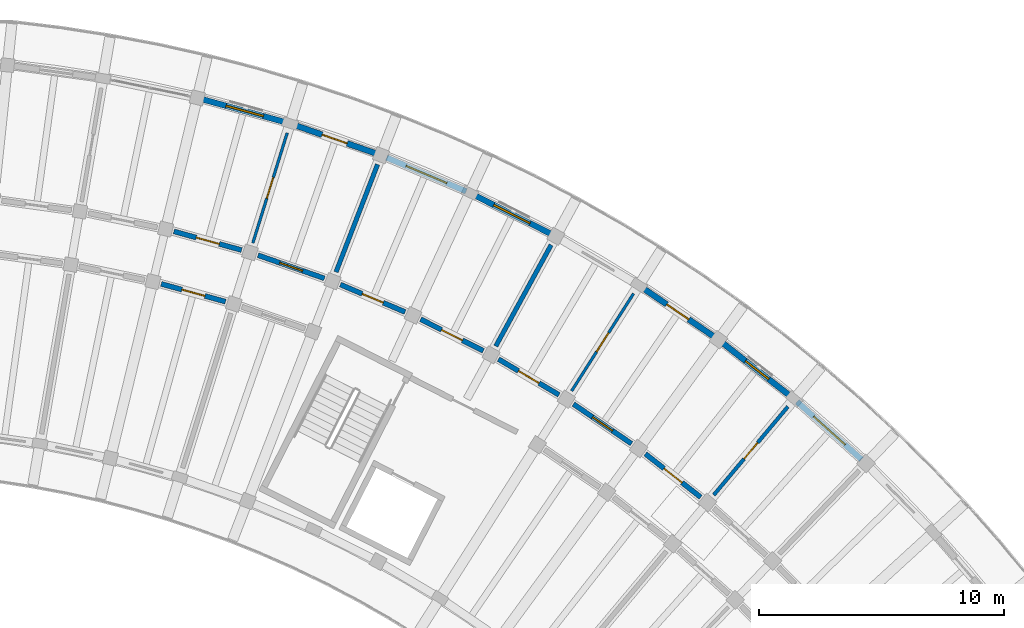
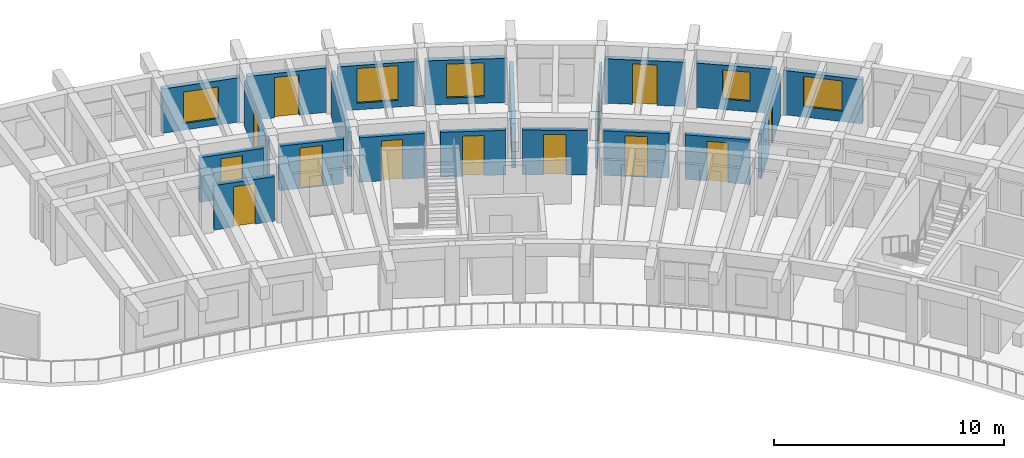
# One storey, part 58 of 81: 20 walls, 13 doors, 5 windows, 18 openings.
"""IFC4 building model written with IfcOpenShell, lengths in metres."""

import ifcopenshell
import ifcopenshell.guid

model = None  # the IFC model being written
_history = None  # IfcOwnerHistory: only IFC2X3 demands one
_inside = {}  # id of a spatial element -> (the spatial element, [elements in it])
_under = {}  # id of a project, library or spatial element -> (it, [spatial elements below it])
_declared = {}  # id of a project -> (the project, [libraries it declares])
_typed = {}  # id of a type object -> (the type object, [elements of that type])
_made_of = {}  # id of a material, layer set ... -> (it, [elements and type objects made of it])


def new_model(schema):
    """Start an empty IFC model of exactly this schema.

    Asked for "IFC4X3", IfcOpenShell would pick the latest addendum, in which some entities
    have other attributes; the version numbers below select the first issue.
    IFC2X3 requires an IfcOwnerHistory on every rooted entity: one is made here for all.
    """
    global model, _history
    if schema == "IFC4X3":
        model = ifcopenshell.file(schema_version=(4, 3, 0, 0))
    else:
        model = ifcopenshell.file(schema=schema)
    _inside.clear()
    _under.clear()
    _declared.clear()
    _typed.clear()
    _made_of.clear()
    _history = None
    if model.schema == "IFC2X3":
        org = make("IfcOrganization", Name="unknown")
        user = make(
            "IfcPersonAndOrganization",
            ThePerson=make("IfcPerson", FamilyName="unknown"),
            TheOrganization=org,
        )
        app = make(
            "IfcApplication",
            ApplicationDeveloper=org,
            Version="unknown",
            ApplicationFullName="unknown",
            ApplicationIdentifier="unknown",
        )
        _history = make(
            "IfcOwnerHistory",
            OwningUser=user,
            OwningApplication=app,
            ChangeAction="ADDED",
            CreationDate=0,
        )
    return model


def make(cls, **values):
    """One entity of the class cls with the attributes given. An attribute that is None is left unset."""
    return model.create_entity(
        cls, **{name: value for name, value in values.items() if value is not None}
    )


def rooted(cls, **values):
    """An entity with a GlobalId (a new one), such as an element, a storey or a relation."""
    return make(cls, GlobalId=ifcopenshell.guid.new(), OwnerHistory=_history, **values)


def si_unit(unit_type, name, prefix=None):
    """IfcSIUnit, for example si_unit("LENGTHUNIT", "METRE", prefix="MILLI")."""
    return make("IfcSIUnit", UnitType=unit_type, Prefix=prefix, Name=name)


def assignment(units):
    """IfcUnitAssignment: the units of a project."""
    return None if units is None else make("IfcUnitAssignment", Units=units)


def point(xyz):
    """IfcCartesianPoint."""
    return None if xyz is None else make("IfcCartesianPoint", Coordinates=xyz)


def direction(xyz):
    """IfcDirection."""
    return None if xyz is None else make("IfcDirection", DirectionRatios=xyz)


def frame(location, z_axis=None, x_axis=None):
    """IfcAxis2Placement3D, a coordinate frame: its origin and axes. An axis left out is left unset."""
    return make(
        "IfcAxis2Placement3D",
        Location=point(location),
        Axis=direction(z_axis),
        RefDirection=direction(x_axis),
    )


def frame_2d(location, x_axis=None):
    """IfcAxis2Placement2D, a coordinate frame in the plane: its origin and x axis."""
    return make(
        "IfcAxis2Placement2D", Location=point(location), RefDirection=direction(x_axis)
    )


def origin():
    """The frame at (0, 0, 0) with its axes left unset."""
    return frame((0.0, 0.0, 0.0))


def place(relative_to, where):
    """IfcLocalPlacement: puts the frame where relative to a parent placement (None: the world)."""
    return make(
        "IfcLocalPlacement", PlacementRelTo=relative_to, RelativePlacement=where
    )


def context(
    kind, dimensions, precision=None, world=None, true_north=None, identifier=None
):
    """IfcGeometricRepresentationContext, for example the 3D "Model" context."""
    return make(
        "IfcGeometricRepresentationContext",
        ContextIdentifier=identifier,
        ContextType=kind,
        CoordinateSpaceDimension=dimensions,
        Precision=precision,
        WorldCoordinateSystem=world,
        TrueNorth=true_north,
    )


def subcontext(parent, identifier, kind, view, scale=None):
    """IfcGeometricRepresentationSubContext, for example "Body" below "Model"."""
    return make(
        "IfcGeometricRepresentationSubContext",
        ContextIdentifier=identifier,
        ContextType=kind,
        ParentContext=parent,
        TargetScale=scale,
        TargetView=view,
    )


def project(units=None, contexts=None):
    """IfcProject with its units and contexts."""
    return rooted(
        "IfcProject",
        Name="project",
        RepresentationContexts=contexts,
        UnitsInContext=assignment(units),
    )


def spatial(cls, under=None, at=None, **own):
    """A site, building, storey or space (cls), placed at a placement, below another one or the project."""
    s = rooted(cls, ObjectPlacement=at, **own)
    if under is not None:
        _under.setdefault(under.id(), (under, []))[1].append(s)
    return s


def profile(cls, at=None, kind="AREA", **sizes):
    """A parametric profile (cls). Its sizes go by their IFC names, for example OverallWidth=200.0."""
    return make(cls, ProfileType=kind, Position=at, **sizes)


def rectangle(**sizes):
    """IfcRectangleProfileDef."""
    return profile("IfcRectangleProfileDef", **sizes)


def extrude(swept, where, along, depth):
    """IfcExtrudedAreaSolid: the profile swept, set in the frame where, extruded along a direction by depth."""
    return make(
        "IfcExtrudedAreaSolid",
        SweptArea=swept,
        Position=where,
        ExtrudedDirection=direction(along),
        Depth=depth,
    )


def shape(context_of_items, identifier, shape_type, items):
    """IfcShapeRepresentation: the items that make up one representation, for example the "Body"."""
    return make(
        "IfcShapeRepresentation",
        ContextOfItems=context_of_items,
        RepresentationIdentifier=identifier,
        RepresentationType=shape_type,
        Items=items,
    )


def material(Name=None, Category=None):
    """IfcMaterial."""
    return make("IfcMaterial", Name=Name, Category=Category)


def layer(
    of_material, thickness, ventilated=None, Name=None, Category=None, Priority=None
):
    """IfcMaterialLayer: one layer of a wall or slab, of a material (None: an air gap)."""
    return make(
        "IfcMaterialLayer",
        Material=of_material,
        LayerThickness=thickness,
        IsVentilated=ventilated,
        Name=Name,
        Category=Category,
        Priority=Priority,
    )


def layer_set(layers, Name=None):
    """IfcMaterialLayerSet."""
    return make("IfcMaterialLayerSet", MaterialLayers=layers, LayerSetName=Name)


def made_of(thing, what):
    """Note that an element or type object is made of a material, layer set ...; save() writes the relation."""
    if what is not None:
        _made_of.setdefault(what.id(), (what, []))[1].append(thing)
    return thing


def type_object(cls, material=None, **own):
    """A type object (cls), such as IfcWallType, which elements share."""
    return made_of(rooted(cls, **own), material)


def element(
    cls,
    number,
    at=None,
    inside=None,
    cuts=None,
    type_object=None,
    material=None,
    context=None,
    identifier="Body",
    shape_type=None,
    held_by="IfcProductDefinitionShape",
    body=None,
    shapes=None,
    **own,
):
    """One element of the class cls, such as IfcWall. Its Tag is "e" and its number.

    at: its placement. inside: the storey or other place that contains it. cuts: it is an
    opening in that element (IfcRelVoidsElement). A single representation is given by context,
    identifier, shape_type and body (its items); several are given by shapes. held_by: the class
    of the entity that holds the representations. save() writes the other relations.
    """
    e = rooted(cls, Tag="e%d" % number, ObjectPlacement=at, **own)
    if body is not None:
        shapes = [shape(context, identifier, shape_type, body)]
    if shapes is not None:
        e.Representation = make(held_by, Representations=shapes)
    if inside is not None:
        _inside.setdefault(inside.id(), (inside, []))[1].append(e)
    if cuts is not None:
        rooted(
            "IfcRelVoidsElement", RelatingBuildingElement=cuts, RelatedOpeningElement=e
        )
    if type_object is not None:
        _typed.setdefault(type_object.id(), (type_object, []))[1].append(e)
    return made_of(e, material)


def fill(opening, filler):
    """IfcRelFillsElement: the door or window that sits in an opening."""
    return rooted(
        "IfcRelFillsElement",
        RelatingOpeningElement=opening,
        RelatedBuildingElement=filler,
    )


def aggregate(whole, parts):
    """IfcRelAggregates: a whole, such as a stair, and the parts it consists of."""
    return rooted("IfcRelAggregates", RelatingObject=whole, RelatedObjects=parts)


def save(model, path):
    """Write the relations noted so far, then the file.

    IfcRelAggregates (storeys below a building ...), IfcRelContainedInSpatialStructure (elements
    in a storey), IfcRelDefinesByType, IfcRelAssociatesMaterial and IfcRelDeclares: one each for
    every whole, place, type object, material and project.
    """
    for whole, parts in _under.values():
        aggregate(whole, parts)
    for where, things in _inside.values():
        rooted(
            "IfcRelContainedInSpatialStructure",
            RelatedElements=things,
            RelatingStructure=where,
        )
    for kind, things in _typed.values():
        rooted("IfcRelDefinesByType", RelatedObjects=things, RelatingType=kind)
    for what, things in _made_of.values():
        rooted("IfcRelAssociatesMaterial", RelatedObjects=things, RelatingMaterial=what)
    for by, libraries in _declared.values():
        rooted("IfcRelDeclares", RelatingContext=by, RelatedDefinitions=libraries)
    model.write(path)


model = new_model("IFC4")

# Units and contexts
model_context = context("Model", 3, precision=1e-05, world=origin(), true_north=direction((0.0, 1.0)))
body_context = subcontext(model_context, "Body", "Model", "MODEL_VIEW")
ifc_project = project(units=[si_unit("LENGTHUNIT", "METRE"), si_unit("AREAUNIT", "SQUARE_METRE"), si_unit("VOLUMEUNIT", "CUBIC_METRE"), si_unit("PLANEANGLEUNIT", "RADIAN"), si_unit("MASSUNIT", "GRAM", prefix="KILO")], contexts=[model_context])

# Site, building, storey
site_placement = place(None, origin())
site = spatial("IfcSite", under=ifc_project, at=site_placement, CompositionType="ELEMENT")
building_placement = place(site_placement, origin())
building = spatial("IfcBuilding", under=site, at=building_placement, Name="Tanwirah Colonnade Gardens", CompositionType="ELEMENT")
storey_placement = place(building_placement, frame((0.0, 0.0, 18.919921875)))
storey = spatial("IfcBuildingStorey", under=building, at=storey_placement, Name="L05", CompositionType="ELEMENT", Elevation=18.919921875)

# Wall, opening, window
ifc_material_1 = material(Name="Limestone architectural precast concrete C40/50", Category="masonry")
ifc_layer_1 = layer(ifc_material_1, 0.239990234375)
ifc_layer_set_1 = layer_set([ifc_layer_1], Name="Limestone architectural precast concrete C40/50")
wall_type_1 = type_object("IfcWallType", Name="EW-PC240", PredefinedType="SOLIDWALL", material=ifc_layer_set_1)
wall_1_placement = place(storey_placement, frame((162.01806640625, 103.3603515625, 0.0), z_axis=(0.0, 0.0, 1.0), x_axis=(-0.744413726571, 0.667718656092, 0.0)))
wall_1 = element("IfcWall", 1, at=wall_1_placement, inside=storey, type_object=wall_type_1, Name="Block B L05 OUT Precast Facade Wall 8", PredefinedType="SOLIDWALL", context=body_context, shape_type="SweptSolid", body=[
    extrude(rectangle(XDim=3.520751953125, YDim=0.239990234375, at=frame_2d((1.76025390625, 0.0))), origin(), (0.0, 0.0, 1.0), 2.35498046875),
])
opening_1_placement = place(wall_1_placement, frame((0.900390625, 0.0, 0.550048828125)))
opening_1 = element("IfcOpeningElement", 2, at=opening_1_placement, cuts=wall_1, Name="Opening WIN-U15", PredefinedType="OPENING", context=body_context, shape_type="SweptSolid", body=[
    extrude(rectangle(XDim=1.719970703125, YDim=1.610107421875, at=frame_2d((0.85986328125, 0.80517578125))), frame((0.0, 0.1298828125, 0.0), z_axis=(0.0, -1.0, 0.0), x_axis=(1.0, 0.0, 0.0)), (0.0, 0.0, 1.0), 0.260009765625),
])
ifc_material_2 = material(Name="Thermally broken bronze aluminium and solar low-E double glazing", Category="aluminium")
window_type_1 = type_object("IfcWindowType", Name="WIN-U15", PartitioningType="DOUBLE_PANEL_VERTICAL", PredefinedType="WINDOW", material=ifc_material_2)
window_1_placement = place(opening_1_placement, origin())
window_1 = element("IfcWindow", 3, at=window_1_placement, inside=storey, type_object=window_type_1, Name="Facade window B-L05-OUT-08", OverallHeight=1.610107421875, OverallWidth=1.719970703125, PartitioningType="SINGLE_PANEL", PredefinedType="WINDOW", context=body_context, shape_type="SweptSolid", body=[
    extrude(rectangle(XDim=1.719970703125, YDim=1.610107421875, at=frame_2d((0.85986328125, 0.80517578125))), frame((0.0, 0.030029296875, 0.0), z_axis=(0.0, -1.0, 0.0), x_axis=(1.0, 0.0, 0.0)), (0.0, 0.0, 1.0), 0.06005859375),
])
fill(opening_1, window_1)

wall_2_placement = place(storey_placement, frame((159.152099609375, 105.916748046875, 0.0), z_axis=(0.0, 0.0, 1.0), x_axis=(-0.786813798172, 0.617190446301, 0.0)))
wall_2 = element("IfcWall", 4, at=wall_2_placement, inside=storey, type_object=wall_type_1, Name="Block B L05 OUT Precast Facade Wall 9", PredefinedType="SOLIDWALL", context=body_context, shape_type="SweptSolid", body=[
    extrude(rectangle(XDim=3.5205078125, YDim=0.239990234375, at=frame_2d((1.76025390625, 0.0))), origin(), (0.0, 0.0, 1.0), 2.35498046875),
])
opening_2_placement = place(wall_2_placement, frame((1.160400390625, 0.0, 0.550048828125)))
opening_2 = element("IfcOpeningElement", 5, at=opening_2_placement, cuts=wall_2, Name="Opening WIN-T02", PredefinedType="OPENING", context=body_context, shape_type="SweptSolid", body=[
    extrude(rectangle(XDim=1.199951171875, YDim=1.550048828125, at=frame_2d((0.60009765625, 0.77490234375))), frame((0.0, 0.1298828125, 0.0), z_axis=(0.0, -1.0, 0.0), x_axis=(1.0, 0.0, 0.0)), (0.0, 0.0, 1.0), 0.260009765625),
])
window_type_2 = type_object("IfcWindowType", Name="WIN-T02", PartitioningType="SINGLE_PANEL", PredefinedType="WINDOW", material=ifc_material_2)
window_2_placement = place(opening_2_placement, origin())
window_2 = element("IfcWindow", 6, at=window_2_placement, inside=storey, type_object=window_type_2, Name="Facade window B-L05-OUT-09", OverallHeight=1.550048828125, OverallWidth=1.199951171875, PartitioningType="SINGLE_PANEL", PredefinedType="WINDOW", context=body_context, shape_type="SweptSolid", body=[
    extrude(rectangle(XDim=1.199951171875, YDim=1.550048828125, at=frame_2d((0.60009765625, 0.77490234375))), frame((0.0, 0.030029296875, 0.0), z_axis=(0.0, -1.0, 0.0), x_axis=(1.0, 0.0, 0.0)), (0.0, 0.0, 1.0), 0.06005859375),
])
fill(opening_2, window_2)

# Wall, opening, door
wall_3_placement = place(storey_placement, frame((155.98681640625, 108.37890625, 0.0), z_axis=(0.0, 0.0, 1.0), x_axis=(-0.825745840472, 0.56404238045, 0.0)))
wall_3 = element("IfcWall", 7, at=wall_3_placement, inside=storey, type_object=wall_type_1, Name="Block B L05 OUT Precast Facade Wall 10", PredefinedType="SOLIDWALL", context=body_context, shape_type="SweptSolid", body=[
    extrude(rectangle(XDim=3.520751953125, YDim=0.239990234375, at=frame_2d((1.76025390625, 0.0))), origin(), (0.0, 0.0, 1.0), 2.35498046875),
])
opening_3_placement = place(wall_3_placement, frame((1.220458984375, 0.0, 0.0)))
opening_3 = element("IfcOpeningElement", 8, at=opening_3_placement, cuts=wall_3, Name="Opening L05-ED092", PredefinedType="OPENING", context=body_context, shape_type="SweptSolid", body=[
    extrude(rectangle(XDim=1.080078125, YDim=2.14990234375, at=frame_2d((0.5400390625, 1.074951171875))), frame((0.0, 0.1298828125, 0.0), z_axis=(0.0, -1.0, 0.0), x_axis=(1.0, 0.0, 0.0)), (0.0, 0.0, 1.0), 0.260009765625),
])
ifc_material_3 = material(Name="Bronze aluminium glazed balcony door", Category="aluminium")
door_type_1 = type_object("IfcDoorType", Name="ED-BAL108", OperationType="NOTDEFINED", PredefinedType="DOOR", material=ifc_material_3)
door_1_placement = place(opening_3_placement, origin())
door_1 = element("IfcDoor", 9, at=door_1_placement, inside=storey, type_object=door_type_1, Name="Balcony glazed door L05-ED092", OperationType="SINGLE_SWING_RIGHT", OverallHeight=2.14990234375, OverallWidth=1.080078125, PredefinedType="DOOR", context=body_context, shape_type="SweptSolid", body=[
    extrude(rectangle(XDim=1.080078125, YDim=2.14990234375, at=frame_2d((0.5400390625, 1.074951171875))), frame((0.0, 0.02490234375, 0.0), z_axis=(0.0, -1.0, 0.0), x_axis=(1.0, 0.0, 0.0)), (0.0, 0.0, 1.0), 0.050048828125),
])
fill(opening_3, door_1)

# Wall, opening, window
wall_4_placement = place(storey_placement, frame((149.34814453125, 112.56103515625, 0.0), z_axis=(0.0, 0.0, 1.0), x_axis=(-0.892756700232, 0.450539092855, 0.0)))
wall_4 = element("IfcWall", 10, at=wall_4_placement, inside=storey, type_object=wall_type_1, Name="Block B L05 OUT Precast Facade Wall 12", PredefinedType="SOLIDWALL", context=body_context, shape_type="SweptSolid", body=[
    extrude(rectangle(XDim=3.520751953125, YDim=0.239990234375, at=frame_2d((1.76025390625, 0.0))), origin(), (0.0, 0.0, 1.0), 2.35498046875),
])
opening_4_placement = place(wall_4_placement, frame((0.935302734375, 0.0, 0.35009765625)))
opening_4 = element("IfcOpeningElement", 11, at=opening_4_placement, cuts=wall_4, Name="Opening WIN-T11", PredefinedType="OPENING", context=body_context, shape_type="SweptSolid", body=[
    extrude(rectangle(XDim=1.64990234375, YDim=1.800048828125, at=frame_2d((0.824951171875, 0.89990234375))), frame((0.0, 0.1298828125, 0.0), z_axis=(0.0, -1.0, 0.0), x_axis=(1.0, 0.0, 0.0)), (0.0, 0.0, 1.0), 0.260009765625),
])
window_type_3 = type_object("IfcWindowType", Name="WIN-T11", PartitioningType="DOUBLE_PANEL_VERTICAL", PredefinedType="WINDOW", material=ifc_material_2)
window_3_placement = place(opening_4_placement, origin())
window_3 = element("IfcWindow", 12, at=window_3_placement, inside=storey, type_object=window_type_3, Name="Facade window B-L05-OUT-12", OverallHeight=1.800048828125, OverallWidth=1.64990234375, PartitioningType="SINGLE_PANEL", PredefinedType="WINDOW", context=body_context, shape_type="SweptSolid", body=[
    extrude(rectangle(XDim=1.64990234375, YDim=1.800048828125, at=frame_2d((0.824951171875, 0.89990234375))), frame((0.0, 0.030029296875, 0.0), z_axis=(0.0, -1.0, 0.0), x_axis=(1.0, 0.0, 0.0)), (0.0, 0.0, 1.0), 0.06005859375),
])
fill(opening_4, window_3)

wall_5_placement = place(storey_placement, frame((145.9150390625, 114.28173828125, 0.0), z_axis=(0.0, 0.0, 1.0), x_axis=(-0.920502438884, 0.390736816807, 0.0)))
wall_5 = element("IfcWall", 13, at=wall_5_placement, inside=storey, type_object=wall_type_1, Name="Block B L05 OUT Precast Facade Wall 13", PredefinedType="SOLIDWALL", context=body_context, shape_type="SweptSolid", body=[
    extrude(rectangle(XDim=3.520751953125, YDim=0.239990234375, at=frame_2d((1.76025390625, 0.0))), origin(), (0.0, 0.0, 1.0), 2.35498046875),
])
opening_5_placement = place(wall_5_placement, frame((0.8603515625, 0.0, 0.35009765625)))
opening_5 = element("IfcOpeningElement", 14, at=opening_5_placement, cuts=wall_5, Name="Opening WIN-T14", PredefinedType="OPENING", context=body_context, shape_type="SweptSolid", body=[
    extrude(rectangle(XDim=1.800048828125, YDim=1.85009765625, at=frame_2d((0.89990234375, 0.925048828125))), frame((0.0, 0.1298828125, 0.0), z_axis=(0.0, -1.0, 0.0), x_axis=(1.0, 0.0, 0.0)), (0.0, 0.0, 1.0), 0.260009765625),
])
window_type_4 = type_object("IfcWindowType", Name="WIN-T14", PartitioningType="TRIPLE_PANEL_VERTICAL", PredefinedType="WINDOW", material=ifc_material_2)
window_4_placement = place(opening_5_placement, origin())
window_4 = element("IfcWindow", 15, at=window_4_placement, inside=storey, type_object=window_type_4, Name="Facade window B-L05-OUT-13", OverallHeight=1.85009765625, OverallWidth=1.800048828125, PartitioningType="SINGLE_PANEL", PredefinedType="WINDOW", context=body_context, shape_type="SweptSolid", body=[
    extrude(rectangle(XDim=1.800048828125, YDim=1.85009765625, at=frame_2d((0.89990234375, 0.925048828125))), frame((0.0, 0.030029296875, 0.0), z_axis=(0.0, -1.0, 0.0), x_axis=(1.0, 0.0, 0.0)), (0.0, 0.0, 1.0), 0.06005859375),
])
fill(opening_5, window_4)

# Wall, opening, door
wall_6_placement = place(storey_placement, frame((142.21728515625, 115.833984375, 0.0), z_axis=(0.0, 0.0, 1.0), x_axis=(-0.944267366677, 0.329179495455, 0.0)))
wall_6 = element("IfcWall", 16, at=wall_6_placement, inside=storey, type_object=wall_type_1, Name="Block B L05 OUT Precast Facade Wall 14", PredefinedType="SOLIDWALL", context=body_context, shape_type="SweptSolid", body=[
    extrude(rectangle(XDim=3.520751953125, YDim=0.239990234375, at=frame_2d((1.76025390625, 0.0))), origin(), (0.0, 0.0, 1.0), 2.35498046875),
])
opening_6_placement = place(wall_6_placement, frame((1.220458984375, 0.0, 0.0)))
opening_6 = element("IfcOpeningElement", 17, at=opening_6_placement, cuts=wall_6, Name="Opening L05-ED093", PredefinedType="OPENING", context=body_context, shape_type="SweptSolid", body=[
    extrude(rectangle(XDim=1.080078125, YDim=2.14990234375, at=frame_2d((0.5400390625, 1.074951171875))), frame((0.0, 0.1298828125, 0.0), z_axis=(0.0, -1.0, 0.0), x_axis=(1.0, 0.0, 0.0)), (0.0, 0.0, 1.0), 0.260009765625),
])
door_2_placement = place(opening_6_placement, origin())
door_2 = element("IfcDoor", 18, at=door_2_placement, inside=storey, type_object=door_type_1, Name="Balcony glazed door L05-ED093", OperationType="SINGLE_SWING_RIGHT", OverallHeight=2.14990234375, OverallWidth=1.080078125, PredefinedType="DOOR", context=body_context, shape_type="SweptSolid", body=[
    extrude(rectangle(XDim=1.080078125, YDim=2.14990234375, at=frame_2d((0.5400390625, 1.074951171875))), frame((0.0, 0.02490234375, 0.0), z_axis=(0.0, -1.0, 0.0), x_axis=(1.0, 0.0, 0.0)), (0.0, 0.0, 1.0), 0.050048828125),
])
fill(opening_6, door_2)

# Wall, opening, window
wall_7_placement = place(storey_placement, frame((138.58740234375, 117.08837890625, 0.0), z_axis=(0.0, 0.0, 1.0), x_axis=(-0.963894473631, 0.266284516456, 0.0)))
wall_7 = element("IfcWall", 19, at=wall_7_placement, inside=storey, type_object=wall_type_1, Name="Block B L05 OUT Precast Facade Wall 15", PredefinedType="SOLIDWALL", context=body_context, shape_type="SweptSolid", body=[
    extrude(rectangle(XDim=3.520751953125, YDim=0.239990234375, at=frame_2d((1.76025390625, 0.0))), origin(), (0.0, 0.0, 1.0), 2.35498046875),
])
opening_7_placement = place(wall_7_placement, frame((0.97021484375, 0.0, 0.35009765625)))
opening_7 = element("IfcOpeningElement", 20, at=opening_7_placement, cuts=wall_7, Name="Opening WIN-T20", PredefinedType="OPENING", context=body_context, shape_type="SweptSolid", body=[
    extrude(rectangle(XDim=1.580078125, YDim=1.679931640625, at=frame_2d((0.7900390625, 0.83984375))), frame((0.0, 0.1298828125, 0.0), z_axis=(0.0, -1.0, 0.0), x_axis=(1.0, 0.0, 0.0)), (0.0, 0.0, 1.0), 0.260009765625),
])
window_type_5 = type_object("IfcWindowType", Name="WIN-T20", PartitioningType="DOUBLE_PANEL_VERTICAL", PredefinedType="WINDOW", material=ifc_material_2)
window_5_placement = place(opening_7_placement, origin())
window_5 = element("IfcWindow", 21, at=window_5_placement, inside=storey, type_object=window_type_5, Name="Facade window B-L05-OUT-15", OverallHeight=1.679931640625, OverallWidth=1.580078125, PartitioningType="SINGLE_PANEL", PredefinedType="WINDOW", context=body_context, shape_type="SweptSolid", body=[
    extrude(rectangle(XDim=1.580078125, YDim=1.679931640625, at=frame_2d((0.7900390625, 0.83984375))), frame((0.0, 0.030029296875, 0.0), z_axis=(0.0, -1.0, 0.0), x_axis=(1.0, 0.0, 0.0)), (0.0, 0.0, 1.0), 0.06005859375),
])
fill(opening_7, window_5)

# Wall, opening, door
ifc_material_4 = material(Name="Precast concrete C40/50", Category="concrete")
ifc_layer_2 = layer(ifc_material_4, 0.205078125)
ifc_layer_set_2 = layer_set([ifc_layer_2], Name="Precast concrete C40/50")
wall_type_2 = type_object("IfcWallType", Name="IW-CORR205", PredefinedType="PARTITIONING", material=ifc_layer_set_2)
wall_8_placement = place(storey_placement, frame((155.46728515625, 101.82080078125, 0.0), z_axis=(0.0, 0.0, 1.0), x_axis=(-0.786806323554, 0.617199975061, 0.0)))
wall_8 = element("IfcWall", 22, at=wall_8_placement, inside=storey, type_object=wall_type_2, Name="Block B L05 OUT Corridor Wall 9", PredefinedType="PARTITIONING", context=body_context, shape_type="SweptSolid", body=[
    extrude(rectangle(XDim=2.863037109375, YDim=0.205078125, at=frame_2d((1.431640625, 0.0))), origin(), (0.0, 0.0, 1.0), 2.3701171875),
])
opening_8_placement = place(wall_8_placement, frame((0.966552734375, 0.0, 0.0)))
opening_8 = element("IfcOpeningElement", 23, at=opening_8_placement, cuts=wall_8, Name="Opening L05-AD1023", PredefinedType="OPENING", context=body_context, shape_type="SweptSolid", body=[
    extrude(rectangle(XDim=0.929931640625, YDim=2.1201171875, at=frame_2d((0.46484375, 1.06005859375))), frame((0.0, 0.112548828125, 0.0), z_axis=(0.0, -1.0, 0.0), x_axis=(1.0, 0.0, 0.0)), (0.0, 0.0, 1.0), 0.22509765625),
])
ifc_material_5 = material(Name="Solid oak fire-resisting apartment entrance door")
door_type_2 = type_object("IfcDoorType", Name="ID-FLT093", OperationType="NOTDEFINED", PredefinedType="DOOR", material=ifc_material_5)
door_3_placement = place(opening_8_placement, origin())
door_3 = element("IfcDoor", 24, at=door_3_placement, inside=storey, type_object=door_type_2, Name="Apartment corridor door L05-AD1023", OperationType="SINGLE_SWING_LEFT", OverallHeight=2.1201171875, OverallWidth=0.929931640625, PredefinedType="DOOR", context=body_context, shape_type="SweptSolid", body=[
    extrude(rectangle(XDim=0.929931640625, YDim=2.1201171875, at=frame_2d((0.46484375, 1.06005859375))), frame((0.0, 0.02490234375, 0.0), z_axis=(0.0, -1.0, 0.0), x_axis=(1.0, 0.0, 0.0)), (0.0, 0.0, 1.0), 0.050048828125),
])
fill(opening_8, door_3)

wall_9_placement = place(storey_placement, frame((152.650146484375, 104.001220703125, 0.0), z_axis=(0.0, 0.0, 1.0), x_axis=(-0.825779671787, 0.563992848947, 0.0)))
wall_9 = element("IfcWall", 25, at=wall_9_placement, inside=storey, type_object=wall_type_2, Name="Block B L05 OUT Corridor Wall 10", PredefinedType="PARTITIONING", context=body_context, shape_type="SweptSolid", body=[
    extrude(rectangle(XDim=2.863037109375, YDim=0.205078125, at=frame_2d((1.431640625, 0.0))), origin(), (0.0, 0.0, 1.0), 2.3701171875),
])
opening_9_placement = place(wall_9_placement, frame((0.9365234375, 0.0, 0.0)))
opening_9 = element("IfcOpeningElement", 26, at=opening_9_placement, cuts=wall_9, Name="Opening L05-AD1025", PredefinedType="OPENING", context=body_context, shape_type="SweptSolid", body=[
    extrude(rectangle(XDim=0.989990234375, YDim=2.159912109375, at=frame_2d((0.4951171875, 1.080078125))), frame((0.0, 0.112548828125, 0.0), z_axis=(0.0, -1.0, 0.0), x_axis=(1.0, 0.0, 0.0)), (0.0, 0.0, 1.0), 0.22509765625),
])
door_type_3 = type_object("IfcDoorType", Name="ID-FLT099", OperationType="NOTDEFINED", PredefinedType="DOOR", material=ifc_material_5)
door_4_placement = place(opening_9_placement, origin())
door_4 = element("IfcDoor", 27, at=door_4_placement, inside=storey, type_object=door_type_3, Name="Apartment corridor door L05-AD1025", OperationType="SINGLE_SWING_RIGHT", OverallHeight=2.159912109375, OverallWidth=0.989990234375, PredefinedType="DOOR", context=body_context, shape_type="SweptSolid", body=[
    extrude(rectangle(XDim=0.989990234375, YDim=2.159912109375, at=frame_2d((0.4951171875, 1.080078125))), frame((0.0, 0.02490234375, 0.0), z_axis=(0.0, -1.0, 0.0), x_axis=(1.0, 0.0, 0.0)), (0.0, 0.0, 1.0), 0.050048828125),
])
fill(opening_9, door_4)

wall_10_placement = place(storey_placement, frame((149.6953125, 105.991455078125, 0.0), z_axis=(0.0, 0.0, 1.0), x_axis=(-0.861113214678, 0.508413248753, 0.0)))
wall_10 = element("IfcWall", 28, at=wall_10_placement, inside=storey, type_object=wall_type_2, Name="Block B L05 OUT Corridor Wall 11", PredefinedType="PARTITIONING", context=body_context, shape_type="SweptSolid", body=[
    extrude(rectangle(XDim=2.863037109375, YDim=0.205078125, at=frame_2d((1.431640625, 0.0))), origin(), (0.0, 0.0, 1.0), 2.3701171875),
])
opening_10_placement = place(wall_10_placement, frame((0.946533203125, 0.0, 0.0)))
opening_10 = element("IfcOpeningElement", 29, at=opening_10_placement, cuts=wall_10, Name="Opening L05-AD1028", PredefinedType="OPENING", context=body_context, shape_type="SweptSolid", body=[
    extrude(rectangle(XDim=0.969970703125, YDim=2.14990234375, at=frame_2d((0.48486328125, 1.074951171875))), frame((0.0, 0.112548828125, 0.0), z_axis=(0.0, -1.0, 0.0), x_axis=(1.0, 0.0, 0.0)), (0.0, 0.0, 1.0), 0.22509765625),
])
door_type_4 = type_object("IfcDoorType", Name="ID-FLT097", OperationType="NOTDEFINED", PredefinedType="DOOR", material=ifc_material_5)
door_5_placement = place(opening_10_placement, origin())
door_5 = element("IfcDoor", 30, at=door_5_placement, inside=storey, type_object=door_type_4, Name="Apartment corridor door L05-AD1028", OperationType="SINGLE_SWING_LEFT", OverallHeight=2.14990234375, OverallWidth=0.969970703125, PredefinedType="DOOR", context=body_context, shape_type="SweptSolid", body=[
    extrude(rectangle(XDim=0.969970703125, YDim=2.14990234375, at=frame_2d((0.48486328125, 1.074951171875))), frame((0.0, 0.02490234375, 0.0), z_axis=(0.0, -1.0, 0.0), x_axis=(1.0, 0.0, 0.0)), (0.0, 0.0, 1.0), 0.050048828125),
])
fill(opening_10, door_5)

wall_11_placement = place(storey_placement, frame((146.615966796875, 107.782470703125, 0.0), z_axis=(0.0, 0.0, 1.0), x_axis=(-0.89273239336, 0.450587254419, 0.0)))
wall_11 = element("IfcWall", 31, at=wall_11_placement, inside=storey, type_object=wall_type_2, Name="Block B L05 OUT Corridor Wall 12", PredefinedType="PARTITIONING", context=body_context, shape_type="SweptSolid", body=[
    extrude(rectangle(XDim=2.863037109375, YDim=0.205078125, at=frame_2d((1.431640625, 0.0))), origin(), (0.0, 0.0, 1.0), 2.3701171875),
])
opening_11_placement = place(wall_11_placement, frame((0.95654296875, 0.0, 0.0)))
opening_11 = element("IfcOpeningElement", 32, at=opening_11_placement, cuts=wall_11, Name="Opening L05-AD1029", PredefinedType="OPENING", context=body_context, shape_type="SweptSolid", body=[
    extrude(rectangle(XDim=0.949951171875, YDim=2.1298828125, at=frame_2d((0.47509765625, 1.06494140625))), frame((0.0, 0.112548828125, 0.0), z_axis=(0.0, -1.0, 0.0), x_axis=(1.0, 0.0, 0.0)), (0.0, 0.0, 1.0), 0.22509765625),
])
door_type_5 = type_object("IfcDoorType", Name="ID-FLT095", OperationType="NOTDEFINED", PredefinedType="DOOR", material=ifc_material_5)
door_6_placement = place(opening_11_placement, origin())
door_6 = element("IfcDoor", 33, at=door_6_placement, inside=storey, type_object=door_type_5, Name="Apartment corridor door L05-AD1029", OperationType="SINGLE_SWING_RIGHT", OverallHeight=2.1298828125, OverallWidth=0.949951171875, PredefinedType="DOOR", context=body_context, shape_type="SweptSolid", body=[
    extrude(rectangle(XDim=0.949951171875, YDim=2.1298828125, at=frame_2d((0.47509765625, 1.06494140625))), frame((0.0, 0.02490234375, 0.0), z_axis=(0.0, -1.0, 0.0), x_axis=(1.0, 0.0, 0.0)), (0.0, 0.0, 1.0), 0.050048828125),
])
fill(opening_11, door_6)

wall_12_placement = place(storey_placement, frame((143.42529296875, 109.366943359375, 0.0), z_axis=(0.0, 0.0, 1.0), x_axis=(-0.920511160294, 0.390716270168, 0.0)))
wall_12 = element("IfcWall", 34, at=wall_12_placement, inside=storey, type_object=wall_type_2, Name="Block B L05 OUT Corridor Wall 13", PredefinedType="PARTITIONING", context=body_context, shape_type="SweptSolid", body=[
    extrude(rectangle(XDim=2.863037109375, YDim=0.205078125, at=frame_2d((1.431640625, 0.0))), origin(), (0.0, 0.0, 1.0), 2.3701171875),
])
opening_12_placement = place(wall_12_placement, frame((0.966552734375, 0.0, 0.0)))
opening_12 = element("IfcOpeningElement", 35, at=opening_12_placement, cuts=wall_12, Name="Opening L05-AD1030", PredefinedType="OPENING", context=body_context, shape_type="SweptSolid", body=[
    extrude(rectangle(XDim=0.929931640625, YDim=2.1201171875, at=frame_2d((0.46484375, 1.06005859375))), frame((0.0, 0.112548828125, 0.0), z_axis=(0.0, -1.0, 0.0), x_axis=(1.0, 0.0, 0.0)), (0.0, 0.0, 1.0), 0.22509765625),
])
door_7_placement = place(opening_12_placement, origin())
door_7 = element("IfcDoor", 36, at=door_7_placement, inside=storey, type_object=door_type_2, Name="Apartment corridor door L05-AD1030", OperationType="SINGLE_SWING_LEFT", OverallHeight=2.1201171875, OverallWidth=0.929931640625, PredefinedType="DOOR", context=body_context, shape_type="SweptSolid", body=[
    extrude(rectangle(XDim=0.929931640625, YDim=2.1201171875, at=frame_2d((0.46484375, 1.06005859375))), frame((0.0, 0.02490234375, 0.0), z_axis=(0.0, -1.0, 0.0), x_axis=(1.0, 0.0, 0.0)), (0.0, 0.0, 1.0), 0.050048828125),
])
fill(opening_12, door_7)

wall_13_placement = place(storey_placement, frame((140.13720703125, 110.737548828125, 0.0), z_axis=(0.0, 0.0, 1.0), x_axis=(-0.944253820929, 0.329218349522, 0.0)))
wall_13 = element("IfcWall", 37, at=wall_13_placement, inside=storey, type_object=wall_type_2, Name="Block B L05 OUT Corridor Wall 14", PredefinedType="PARTITIONING", context=body_context, shape_type="SweptSolid", body=[
    extrude(rectangle(XDim=2.86328125, YDim=0.205078125, at=frame_2d((1.431640625, 0.0))), origin(), (0.0, 0.0, 1.0), 2.3701171875),
])
opening_13_placement = place(wall_13_placement, frame((0.9365234375, 0.0, 0.0)))
opening_13 = element("IfcOpeningElement", 38, at=opening_13_placement, cuts=wall_13, Name="Opening L05-AD1031", PredefinedType="OPENING", context=body_context, shape_type="SweptSolid", body=[
    extrude(rectangle(XDim=0.989990234375, YDim=2.159912109375, at=frame_2d((0.4951171875, 1.080078125))), frame((0.0, 0.112548828125, 0.0), z_axis=(0.0, -1.0, 0.0), x_axis=(1.0, 0.0, 0.0)), (0.0, 0.0, 1.0), 0.22509765625),
])
door_8_placement = place(opening_13_placement, origin())
door_8 = element("IfcDoor", 39, at=door_8_placement, inside=storey, type_object=door_type_3, Name="Apartment corridor door L05-AD1031", OperationType="SINGLE_SWING_RIGHT", OverallHeight=2.159912109375, OverallWidth=0.989990234375, PredefinedType="DOOR", context=body_context, shape_type="SweptSolid", body=[
    extrude(rectangle(XDim=0.989990234375, YDim=2.159912109375, at=frame_2d((0.4951171875, 1.080078125))), frame((0.0, 0.02490234375, 0.0), z_axis=(0.0, -1.0, 0.0), x_axis=(1.0, 0.0, 0.0)), (0.0, 0.0, 1.0), 0.050048828125),
])
fill(opening_13, door_8)

wall_14_placement = place(storey_placement, frame((136.765869140625, 111.888671875, 0.0), z_axis=(0.0, 0.0, 1.0), x_axis=(-0.963890789093, 0.266297853356, 0.0)))
wall_14 = element("IfcWall", 40, at=wall_14_placement, inside=storey, type_object=wall_type_2, Name="Block B L05 OUT Corridor Wall 15", PredefinedType="PARTITIONING", context=body_context, shape_type="SweptSolid", body=[
    extrude(rectangle(XDim=2.863037109375, YDim=0.205078125, at=frame_2d((1.431640625, 0.0))), origin(), (0.0, 0.0, 1.0), 2.3701171875),
])
opening_14_placement = place(wall_14_placement, frame((0.946533203125, 0.0, 0.0)))
opening_14 = element("IfcOpeningElement", 41, at=opening_14_placement, cuts=wall_14, Name="Opening L05-AD1034", PredefinedType="OPENING", context=body_context, shape_type="SweptSolid", body=[
    extrude(rectangle(XDim=0.969970703125, YDim=2.14990234375, at=frame_2d((0.48486328125, 1.074951171875))), frame((0.0, 0.112548828125, 0.0), z_axis=(0.0, -1.0, 0.0), x_axis=(1.0, 0.0, 0.0)), (0.0, 0.0, 1.0), 0.22509765625),
])
door_9_placement = place(opening_14_placement, origin())
door_9 = element("IfcDoor", 42, at=door_9_placement, inside=storey, type_object=door_type_4, Name="Apartment corridor door L05-AD1034", OperationType="SINGLE_SWING_LEFT", OverallHeight=2.14990234375, OverallWidth=0.969970703125, PredefinedType="DOOR", context=body_context, shape_type="SweptSolid", body=[
    extrude(rectangle(XDim=0.969970703125, YDim=2.14990234375, at=frame_2d((0.48486328125, 1.074951171875))), frame((0.0, 0.02490234375, 0.0), z_axis=(0.0, -1.0, 0.0), x_axis=(1.0, 0.0, 0.0)), (0.0, 0.0, 1.0), 0.050048828125),
])
fill(opening_14, door_9)

wall_15_placement = place(storey_placement, frame((136.1103515625, 109.78857421875, 0.0), z_axis=(0.0, 0.0, 1.0), x_axis=(-0.96388375821, 0.266323301006, 0.0)))
wall_15 = element("IfcWall", 43, at=wall_15_placement, inside=storey, type_object=wall_type_2, Name="Block B L05 IN Corridor Wall 15", PredefinedType="PARTITIONING", context=body_context, shape_type="SweptSolid", body=[
    extrude(rectangle(XDim=2.718017578125, YDim=0.205078125, at=frame_2d((1.35888671875, 0.0))), origin(), (0.0, 0.0, 1.0), 2.3701171875),
])
opening_15_placement = place(wall_15_placement, frame((0.8740234375, 0.0, 0.0)))
opening_15 = element("IfcOpeningElement", 44, at=opening_15_placement, cuts=wall_15, Name="Opening L05-AD1035", PredefinedType="OPENING", context=body_context, shape_type="SweptSolid", body=[
    extrude(rectangle(XDim=0.969970703125, YDim=2.14990234375, at=frame_2d((0.48486328125, 1.074951171875))), frame((0.0, 0.112548828125, 0.0), z_axis=(0.0, -1.0, 0.0), x_axis=(1.0, 0.0, 0.0)), (0.0, 0.0, 1.0), 0.22509765625),
])
door_10_placement = place(opening_15_placement, origin())
door_10 = element("IfcDoor", 45, at=door_10_placement, inside=storey, type_object=door_type_4, Name="Apartment corridor door L05-AD1035", OperationType="SINGLE_SWING_RIGHT", OverallHeight=2.14990234375, OverallWidth=0.969970703125, PredefinedType="DOOR", context=body_context, shape_type="SweptSolid", body=[
    extrude(rectangle(XDim=0.969970703125, YDim=2.14990234375, at=frame_2d((0.48486328125, 1.074951171875))), frame((0.0, 0.02490234375, 0.0), z_axis=(0.0, -1.0, 0.0), x_axis=(1.0, 0.0, 0.0)), (0.0, 0.0, 1.0), 0.050048828125),
])
fill(opening_15, door_10)

# Walls
ifc_layer_3 = layer(ifc_material_4, 0.18505859375)
ifc_layer_set_3 = layer_set([ifc_layer_3], Name="Precast concrete C40/50")
wall_type_3 = type_object("IfcWallType", Name="IW-DEM185", PredefinedType="PARTITIONING", material=ifc_layer_set_3)
for number, where, z_axis, x_axis, name in (
    (46, (147.120361328125, 107.975830078125, 0.0), (0.0, 0.0, 1.0), (0.479721743761, 0.877420679357, 0.0), "Block B L05 Radial Partition 11"),
    (47, (140.611572265625, 110.99560546875, 0.0), (0.0, 0.0, 1.0), (0.360186633854, 0.932880264982, 0.0), "Block B L05 Radial Partition 13"),
):
    element("IfcWall", number, at=place(storey_placement, frame(where, z_axis=z_axis, x_axis=x_axis)), inside=storey, type_object=wall_type_3, Name=name, PredefinedType="PARTITIONING", context=body_context, shape_type="SweptSolid", body=[
        extrude(rectangle(XDim=4.699951171875, YDim=0.18505859375, at=frame_2d((2.35009765625, 0.0))), origin(), (0.0, 0.0, 1.0), 2.3701171875),
    ])

# Wall, opening, door
ifc_material_6 = material(Name="Acoustic gypsum stud partition")
ifc_layer_4 = layer(ifc_material_6, 0.114990234375)
ifc_layer_set_4 = layer_set([ifc_layer_4], Name="Acoustic gypsum stud partition")
wall_type_4 = type_object("IfcWallType", Name="IW-INT115", PredefinedType="PARTITIONING", material=ifc_layer_set_4)
wall_16_placement = place(storey_placement, frame((150.21142578125, 106.151123046875, 0.0), z_axis=(0.0, 0.0, 1.0), x_axis=(0.536492262982, 0.843905238614, 0.0)))
wall_16 = element("IfcWall", 48, at=wall_16_placement, inside=storey, type_object=wall_type_4, Name="Block B L05 Radial Partition 10", PredefinedType="PARTITIONING", context=body_context, shape_type="SweptSolid", body=[
    extrude(rectangle(XDim=4.699951171875, YDim=0.114990234375, at=frame_2d((2.35009765625, 0.0))), origin(), (0.0, 0.0, 1.0), 2.3701171875),
])
opening_16_placement = place(wall_16_placement, frame((1.89501953125, 0.0, 0.0)))
opening_16 = element("IfcOpeningElement", 49, at=opening_16_placement, cuts=wall_16, Name="Opening L05-RD1027", PredefinedType="OPENING", context=body_context, shape_type="SweptSolid", body=[
    extrude(rectangle(XDim=0.909912109375, YDim=2.10009765625, at=frame_2d((0.455078125, 1.050048828125))), frame((0.0, 0.0673828125, 0.0), z_axis=(0.0, -1.0, 0.0), x_axis=(1.0, 0.0, 0.0)), (0.0, 0.0, 1.0), 0.135009765625),
])
ifc_material_7 = material(Name="Painted hardwood internal room door", Category="wood")
door_type_6 = type_object("IfcDoorType", Name="ID-RM091", OperationType="NOTDEFINED", PredefinedType="DOOR", material=ifc_material_7)
door_11_placement = place(opening_16_placement, origin())
door_11 = element("IfcDoor", 50, at=door_11_placement, inside=storey, type_object=door_type_6, Name="Internal apartment door L05-RD1027", OperationType="SINGLE_SWING_RIGHT", OverallHeight=2.10009765625, OverallWidth=0.909912109375, PredefinedType="DOOR", context=body_context, shape_type="SweptSolid", body=[
    extrude(rectangle(XDim=0.909912109375, YDim=2.10009765625, at=frame_2d((0.455078125, 1.050048828125))), frame((0.0, 0.02490234375, 0.0), z_axis=(0.0, -1.0, 0.0), x_axis=(1.0, 0.0, 0.0)), (0.0, 0.0, 1.0), 0.050048828125),
])
fill(opening_16, door_11)

wall_17_placement = place(storey_placement, frame((137.222412109375, 112.17724609375, 0.0), z_axis=(0.0, 0.0, 1.0), x_axis=(0.297905254614, 0.954595442726, 0.0)))
wall_17 = element("IfcWall", 51, at=wall_17_placement, inside=storey, type_object=wall_type_4, Name="Block B L05 Radial Partition 14", PredefinedType="PARTITIONING", context=body_context, shape_type="SweptSolid", body=[
    extrude(rectangle(XDim=4.699951171875, YDim=0.114990234375, at=frame_2d((2.35009765625, 0.0))), origin(), (0.0, 0.0, 1.0), 2.3701171875),
])
opening_17_placement = place(wall_17_placement, frame((1.905029296875, 0.0, 0.0)))
opening_17 = element("IfcOpeningElement", 52, at=opening_17_placement, cuts=wall_17, Name="Opening L05-RD1033", PredefinedType="OPENING", context=body_context, shape_type="SweptSolid", body=[
    extrude(rectangle(XDim=0.889892578125, YDim=2.10009765625, at=frame_2d((0.44482421875, 1.050048828125))), frame((0.0, 0.0673828125, 0.0), z_axis=(0.0, -1.0, 0.0), x_axis=(1.0, 0.0, 0.0)), (0.0, 0.0, 1.0), 0.135009765625),
])
ifc_material_8 = material(Name="Painted hardwood bedroom door", Category="wood")
door_type_7 = type_object("IfcDoorType", Name="ID-RM089", OperationType="NOTDEFINED", PredefinedType="DOOR", material=ifc_material_8)
door_12_placement = place(opening_17_placement, origin())
door_12 = element("IfcDoor", 53, at=door_12_placement, inside=storey, type_object=door_type_7, Name="Internal apartment door L05-RD1033", OperationType="SINGLE_SWING_RIGHT", OverallHeight=2.10009765625, OverallWidth=0.889892578125, PredefinedType="DOOR", context=body_context, shape_type="SweptSolid", body=[
    extrude(rectangle(XDim=0.889892578125, YDim=2.10009765625, at=frame_2d((0.44482421875, 1.050048828125))), frame((0.0, 0.02490234375, 0.0), z_axis=(0.0, -1.0, 0.0), x_axis=(1.0, 0.0, 0.0)), (0.0, 0.0, 1.0), 0.050048828125),
])
fill(opening_17, door_12)

ifc_material_9 = material(Name="Water-resistant acoustic plumbing partition")
ifc_layer_5 = layer(ifc_material_9, 0.14990234375)
ifc_layer_set_5 = layer_set([ifc_layer_5], Name="Water-resistant acoustic plumbing partition")
wall_type_5 = type_object("IfcWallType", Name="IW-WET150", PredefinedType="PLUMBINGWALL", material=ifc_layer_set_5)
wall_18_placement = place(storey_placement, frame((155.999755859375, 101.9111328125, 0.0), z_axis=(0.0, 0.0, 1.0), x_axis=(0.642811926223, 0.766024038465, 0.0)))
wall_18 = element("IfcWall", 54, at=wall_18_placement, inside=storey, type_object=wall_type_5, Name="Block B L05 Radial Partition 8", PredefinedType="PLUMBINGWALL", context=body_context, shape_type="SweptSolid", body=[
    extrude(rectangle(XDim=4.699951171875, YDim=0.14990234375, at=frame_2d((2.35009765625, 0.0))), origin(), (0.0, 0.0, 1.0), 2.3701171875),
])
opening_18_placement = place(wall_18_placement, frame((1.919921875, 0.0, 0.0)))
opening_18 = element("IfcOpeningElement", 55, at=opening_18_placement, cuts=wall_18, Name="Opening L05-RD1022", PredefinedType="OPENING", context=body_context, shape_type="SweptSolid", body=[
    extrude(rectangle(XDim=0.860107421875, YDim=2.06005859375, at=frame_2d((0.43017578125, 1.030029296875))), frame((0.0, 0.0849609375, 0.0), z_axis=(0.0, -1.0, 0.0), x_axis=(1.0, 0.0, 0.0)), (0.0, 0.0, 1.0), 0.169921875),
])
ifc_material_10 = material(Name="Moisture-resistant bathroom door")
door_type_8 = type_object("IfcDoorType", Name="ID-WET086", OperationType="NOTDEFINED", PredefinedType="DOOR", material=ifc_material_10)
door_13_placement = place(opening_18_placement, origin())
door_13 = element("IfcDoor", 56, at=door_13_placement, inside=storey, type_object=door_type_8, Name="Internal apartment door L05-RD1022", OperationType="SINGLE_SWING_RIGHT", OverallHeight=2.06005859375, OverallWidth=0.860107421875, PredefinedType="DOOR", context=body_context, shape_type="SweptSolid", body=[
    extrude(rectangle(XDim=0.860107421875, YDim=2.06005859375, at=frame_2d((0.43017578125, 1.030029296875))), frame((0.0, 0.02490234375, 0.0), z_axis=(0.0, -1.0, 0.0), x_axis=(1.0, 0.0, 0.0)), (0.0, 0.0, 1.0), 0.050048828125),
])
fill(opening_18, door_13)

save(model, "model.ifc")
